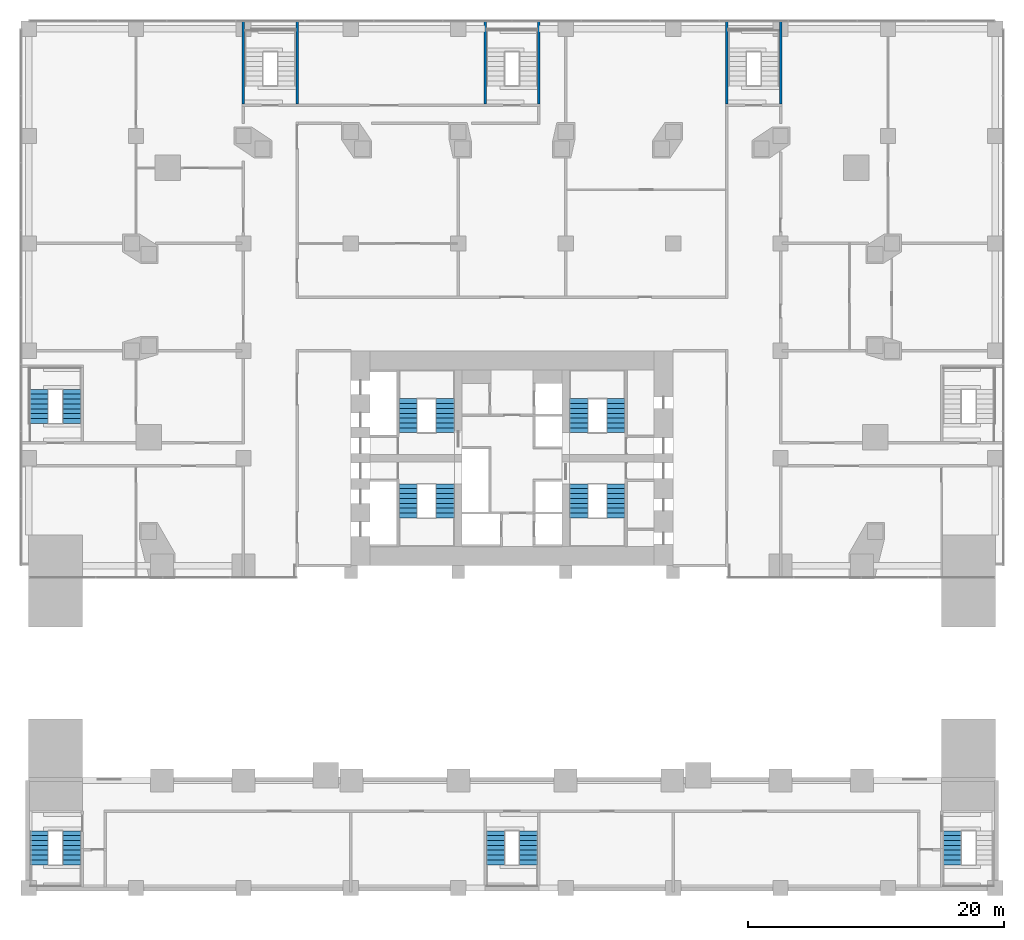
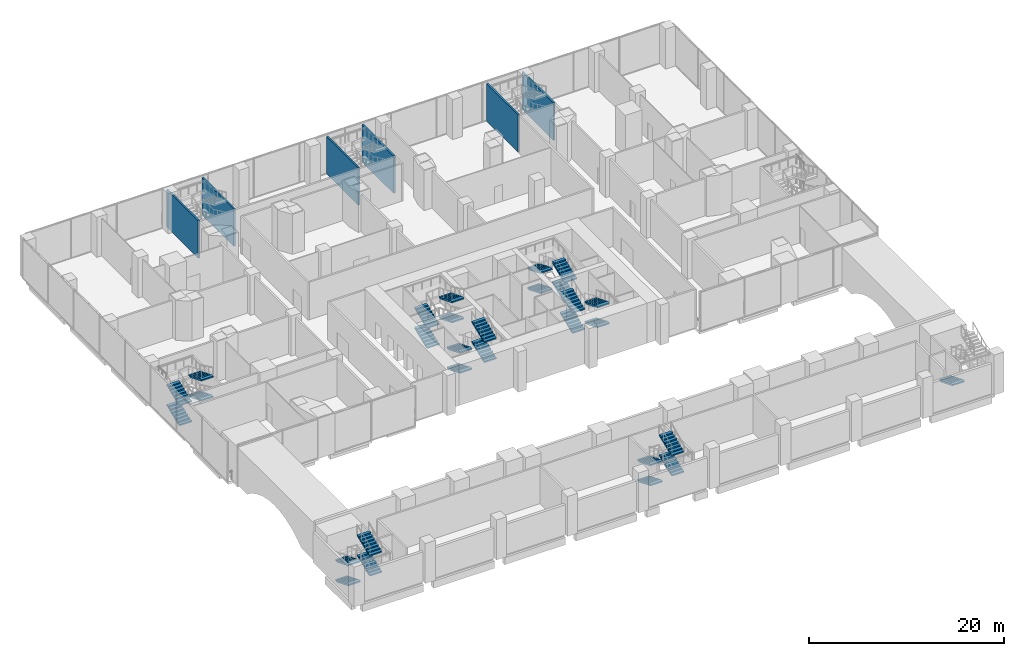
# One storey, part 21 of 28: 29 stair flights, 6 walls, 8 elements without a shape of their own.
"""IFC4 building model written with IfcOpenShell, lengths in metres."""

from ifc_helpers import new_model, si_unit, direction, frame, frame_2d, origin, place, context, subcontext, project, spatial, polyline, rectangle, outline, extrude, material, layer, layer_set, type_object, element, aggregate, save


model = new_model("IFC4")

# Units and contexts
model_context = context("Model", 3, precision=1e-05, world=origin(), true_north=direction((0.0, 1.0)))
body_context = subcontext(model_context, "Body", "Model", "MODEL_VIEW")
ifc_project = project(units=[si_unit("LENGTHUNIT", "METRE"), si_unit("AREAUNIT", "SQUARE_METRE"), si_unit("VOLUMEUNIT", "CUBIC_METRE"), si_unit("PLANEANGLEUNIT", "RADIAN"), si_unit("MASSUNIT", "GRAM", prefix="KILO")], contexts=[model_context])

# Site, building, storey
site_placement = place(None, origin())
site = spatial("IfcSite", under=ifc_project, at=site_placement, CompositionType="ELEMENT")
building_placement = place(site_placement, origin())
building = spatial("IfcBuilding", under=site, at=building_placement, Name="Marenta Gate Hotel Tower", CompositionType="ELEMENT")
storey_placement = place(building_placement, frame((0.0, 0.0, 26.0)))
storey = spatial("IfcBuildingStorey", under=building, at=storey_placement, Name="L04", CompositionType="ELEMENT", Elevation=26.0)

# Walls
ifc_material_1 = material(Name="Concrete blockwork", Category="masonry")
ifc_layer = layer(ifc_material_1, 0.199951171875)
ifc_layer_set = layer_set([ifc_layer], Name="Concrete blockwork")
wall_type = type_object("IfcWallType", Name="Room party wall 200 REI 180", PredefinedType="PARTITIONING", material=ifc_layer_set)
for number, where, z_axis, x_axis, name in (
    (1, (21.0, 36.10009765625, 0.0), (0.0, 0.0, 1.0), (0.0, 1.0, 0.0), "L04-PTN-W015"),
    (2, (16.800048828125, 36.10009765625, 0.0), (0.0, 0.0, 1.0), (0.0, 1.0, 0.0), "L04-PTN-W020"),
    (3, (2.10009765625, 36.10009765625, 0.0), (0.0, 0.0, 1.0), (0.0, 1.0, 0.0), "L04-PTN-W025"),
    (4, (-2.10009765625, 36.10009765625, 0.0), (0.0, 0.0, 1.0), (0.0, 1.0, 0.0), "L04-PTN-W028"),
    (5, (-16.800048828125, 36.10009765625, 0.0), (0.0, 0.0, 1.0), (0.0, 1.0, 0.0), "L04-PTN-W040"),
    (6, (-21.0, 36.10009765625, 0.0), (0.0, 0.0, 1.0), (0.0, 1.0, 0.0), "L04-PTN-W048"),
):
    element("IfcWall", number, at=place(storey_placement, frame(where, z_axis=z_axis, x_axis=x_axis)), inside=storey, type_object=wall_type, Name=name, PredefinedType="PARTITIONING", context=body_context, shape_type="SweptSolid", body=[
        extrude(rectangle(XDim=6.48388671875, YDim=0.199951171875, at=frame_2d((3.241943359375, 0.0))), origin(), (0.0, 0.0, 1.0), 4.679931640625),
    ])

# Stair, stair flights
ifc_material_2 = material(Name="Concrete C40", Category="concrete")
stair_type_1 = type_object("IfcStairType", Name="Core exit stair 1430 wide", PredefinedType="HALF_TURN_STAIR", material=ifc_material_2)
stair_1_placement = place(storey_placement, origin())
stair_1 = element("IfcStair", 7, at=stair_1_placement, inside=storey, type_object=stair_type_1, Name="Exit stair 1", PredefinedType="HALF_TURN_STAIR")
ifc_material_3 = material(Name="Concrete C40", Category="concrete")
stair_flight_type_1 = type_object("IfcStairFlightType", Name="Core stair flight 1430 riser 156.2 going 380", PredefinedType="STRAIGHT", material=ifc_material_3)
stair_flight_1_placement = place(storey_placement, frame((-8.135009765625, 6.39990234375, 0.0), z_axis=(0.0, 0.0, 1.0), x_axis=(0.0, -1.0, 0.0)))
stair_flight_1 = element("IfcStairFlight", 8, at=stair_flight_1_placement, type_object=stair_flight_type_1, Name="ST1 flight 1", NumberOfRisers=8, NumberOfTreads=7, PredefinedType="STRAIGHT", RiserHeight=0.15625, TreadLength=0.38, context=body_context, shape_type="SweptSolid", body=[
    extrude(outline(polyline([(0.0, 0.0), (0.0, 0.15625), (0.3798828125, 0.15625), (0.3798828125, 0.3125), (0.760009765625, 0.3125), (0.760009765625, 0.46875), (1.139892578125, 0.46875), (1.139892578125, 0.625), (1.52001953125, 0.625), (1.52001953125, 0.78125), (1.89990234375, 0.78125), (1.89990234375, 0.9375), (2.280029296875, 0.9375), (2.280029296875, 1.09375), (2.659912109375, 1.09375), (2.659912109375, 1.25), (2.659912109375, 0.931640625), (0.394287109375, 0.0), (0.0, 0.0)])), frame((0.0, 0.71484375, 0.0), z_axis=(0.0, -1.0, 0.0), x_axis=(1.0, 0.0, 0.0)), (0.0, 0.0, 1.0), 1.429931640625),
])
stair_flight_2_placement = place(storey_placement, frame((-5.215087890625, 3.739990234375, 1.25), z_axis=(0.0, 0.0, 1.0), x_axis=(0.0, 1.0, 0.0)))
stair_flight_2 = element("IfcStairFlight", 9, at=stair_flight_2_placement, type_object=stair_flight_type_1, Name="ST1 flight 2", NumberOfRisers=8, NumberOfTreads=7, PredefinedType="STRAIGHT", RiserHeight=0.15625, TreadLength=0.38, context=body_context, shape_type="SweptSolid", body=[
    extrude(outline(polyline([(0.0, 0.0), (0.0, 0.15625), (0.3798828125, 0.15625), (0.3798828125, 0.3125), (0.760009765625, 0.3125), (0.760009765625, 0.46875), (1.139892578125, 0.46875), (1.139892578125, 0.625), (1.52001953125, 0.625), (1.52001953125, 0.78125), (1.89990234375, 0.78125), (1.89990234375, 0.9375), (2.280029296875, 0.9375), (2.280029296875, 1.09375), (2.659912109375, 1.09375), (2.659912109375, 1.25), (2.659912109375, 0.931640625), (0.394287109375, 0.0), (0.0, 0.0)])), frame((0.0, 0.71484375, 0.0), z_axis=(0.0, -1.0, 0.0), x_axis=(1.0, 0.0, 0.0)), (0.0, 0.0, 1.0), 1.429931640625),
])
stair_flight_3_placement = place(storey_placement, frame((-8.135009765625, 6.39990234375, 2.5), z_axis=(0.0, 0.0, 1.0), x_axis=(0.0, -1.0, 0.0)))
stair_flight_3 = element("IfcStairFlight", 10, at=stair_flight_3_placement, type_object=stair_flight_type_1, Name="ST1 flight 3", NumberOfRisers=8, NumberOfTreads=7, PredefinedType="STRAIGHT", RiserHeight=0.15625, TreadLength=0.38, context=body_context, shape_type="SweptSolid", body=[
    extrude(outline(polyline([(0.0, 0.0), (0.0, 0.15625), (0.3798828125, 0.15625), (0.3798828125, 0.3125), (0.760009765625, 0.3125), (0.760009765625, 0.46875), (1.139892578125, 0.46875), (1.139892578125, 0.625), (1.52001953125, 0.625), (1.52001953125, 0.78125), (1.89990234375, 0.78125), (1.89990234375, 0.9375), (2.280029296875, 0.9375), (2.280029296875, 1.09375), (2.659912109375, 1.09375), (2.659912109375, 1.25), (2.659912109375, 0.931640625), (0.394287109375, 0.0), (0.0, 0.0)])), frame((0.0, 0.71484375, 0.0), z_axis=(0.0, -1.0, 0.0), x_axis=(1.0, 0.0, 0.0)), (0.0, 0.0, 1.0), 1.429931640625),
])
stair_flight_4_placement = place(storey_placement, frame((-5.215087890625, 3.739990234375, 3.75), z_axis=(0.0, 0.0, 1.0), x_axis=(0.0, 1.0, 0.0)))
stair_flight_4 = element("IfcStairFlight", 11, at=stair_flight_4_placement, type_object=stair_flight_type_1, Name="ST1 flight 4", NumberOfRisers=8, NumberOfTreads=7, PredefinedType="STRAIGHT", RiserHeight=0.15625, TreadLength=0.38, context=body_context, shape_type="SweptSolid", body=[
    extrude(outline(polyline([(0.0, 0.0), (0.0, 0.15625), (0.3798828125, 0.15625), (0.3798828125, 0.3125), (0.760009765625, 0.3125), (0.760009765625, 0.46875), (1.139892578125, 0.46875), (1.139892578125, 0.625), (1.52001953125, 0.625), (1.52001953125, 0.78125), (1.89990234375, 0.78125), (1.89990234375, 0.9375), (2.280029296875, 0.9375), (2.280029296875, 1.09375), (2.659912109375, 1.09375), (2.659912109375, 1.25), (2.659912109375, 0.931640625), (0.394287109375, 0.0), (0.0, 0.0)])), frame((0.0, 0.71484375, 0.0), z_axis=(0.0, -1.0, 0.0), x_axis=(1.0, 0.0, 0.0)), (0.0, 0.0, 1.0), 1.429931640625),
])
aggregate(stair_1, [stair_flight_1, stair_flight_2, stair_flight_3, stair_flight_4])

stair_2_placement = place(storey_placement, origin())
stair_2 = element("IfcStair", 12, at=stair_2_placement, inside=storey, type_object=stair_type_1, Name="Exit stair 2", PredefinedType="HALF_TURN_STAIR")
stair_flight_5_placement = place(storey_placement, frame((-8.135009765625, 10.39990234375, 0.0), z_axis=(0.0, 0.0, 1.0), x_axis=(0.0, 1.0, 0.0)))
stair_flight_5 = element("IfcStairFlight", 13, at=stair_flight_5_placement, type_object=stair_flight_type_1, Name="ST2 flight 1", NumberOfRisers=8, NumberOfTreads=7, PredefinedType="STRAIGHT", RiserHeight=0.15625, TreadLength=0.38, context=body_context, shape_type="SweptSolid", body=[
    extrude(outline(polyline([(0.0, 0.0), (0.0, 0.15625), (0.3798828125, 0.15625), (0.3798828125, 0.3125), (0.760009765625, 0.3125), (0.760009765625, 0.46875), (1.139892578125, 0.46875), (1.139892578125, 0.625), (1.52001953125, 0.625), (1.52001953125, 0.78125), (1.89990234375, 0.78125), (1.89990234375, 0.9375), (2.280029296875, 0.9375), (2.280029296875, 1.09375), (2.659912109375, 1.09375), (2.659912109375, 1.25), (2.659912109375, 0.931640625), (0.394287109375, 0.0), (0.0, 0.0)])), frame((0.0, 0.71484375, 0.0), z_axis=(0.0, -1.0, 0.0), x_axis=(1.0, 0.0, 0.0)), (0.0, 0.0, 1.0), 1.429931640625),
])
stair_flight_6_placement = place(storey_placement, frame((-5.215087890625, 13.06005859375, 1.25), z_axis=(0.0, 0.0, 1.0), x_axis=(0.0, -1.0, 0.0)))
stair_flight_6 = element("IfcStairFlight", 14, at=stair_flight_6_placement, type_object=stair_flight_type_1, Name="ST2 flight 2", NumberOfRisers=8, NumberOfTreads=7, PredefinedType="STRAIGHT", RiserHeight=0.15625, TreadLength=0.38, context=body_context, shape_type="SweptSolid", body=[
    extrude(outline(polyline([(0.0, 0.0), (0.0, 0.15625), (0.3798828125, 0.15625), (0.3798828125, 0.3125), (0.760009765625, 0.3125), (0.760009765625, 0.46875), (1.139892578125, 0.46875), (1.139892578125, 0.625), (1.52001953125, 0.625), (1.52001953125, 0.78125), (1.89990234375, 0.78125), (1.89990234375, 0.9375), (2.280029296875, 0.9375), (2.280029296875, 1.09375), (2.659912109375, 1.09375), (2.659912109375, 1.25), (2.659912109375, 0.931640625), (0.394287109375, 0.0), (0.0, 0.0)])), frame((0.0, 0.71484375, 0.0), z_axis=(0.0, -1.0, 0.0), x_axis=(1.0, 0.0, 0.0)), (0.0, 0.0, 1.0), 1.429931640625),
])
stair_flight_7_placement = place(storey_placement, frame((-8.135009765625, 10.39990234375, 2.5), z_axis=(0.0, 0.0, 1.0), x_axis=(0.0, 1.0, 0.0)))
stair_flight_7 = element("IfcStairFlight", 15, at=stair_flight_7_placement, type_object=stair_flight_type_1, Name="ST2 flight 3", NumberOfRisers=8, NumberOfTreads=7, PredefinedType="STRAIGHT", RiserHeight=0.15625, TreadLength=0.38, context=body_context, shape_type="SweptSolid", body=[
    extrude(outline(polyline([(0.0, 0.0), (0.0, 0.15625), (0.3798828125, 0.15625), (0.3798828125, 0.3125), (0.760009765625, 0.3125), (0.760009765625, 0.46875), (1.139892578125, 0.46875), (1.139892578125, 0.625), (1.52001953125, 0.625), (1.52001953125, 0.78125), (1.89990234375, 0.78125), (1.89990234375, 0.9375), (2.280029296875, 0.9375), (2.280029296875, 1.09375), (2.659912109375, 1.09375), (2.659912109375, 1.25), (2.659912109375, 0.931640625), (0.394287109375, 0.0), (0.0, 0.0)])), frame((0.0, 0.71484375, 0.0), z_axis=(0.0, -1.0, 0.0), x_axis=(1.0, 0.0, 0.0)), (0.0, 0.0, 1.0), 1.429931640625),
])
stair_flight_8_placement = place(storey_placement, frame((-5.215087890625, 13.06005859375, 3.75), z_axis=(0.0, 0.0, 1.0), x_axis=(0.0, -1.0, 0.0)))
stair_flight_8 = element("IfcStairFlight", 16, at=stair_flight_8_placement, type_object=stair_flight_type_1, Name="ST2 flight 4", NumberOfRisers=8, NumberOfTreads=7, PredefinedType="STRAIGHT", RiserHeight=0.15625, TreadLength=0.38, context=body_context, shape_type="SweptSolid", body=[
    extrude(outline(polyline([(0.0, 0.0), (0.0, 0.15625), (0.3798828125, 0.15625), (0.3798828125, 0.3125), (0.760009765625, 0.3125), (0.760009765625, 0.46875), (1.139892578125, 0.46875), (1.139892578125, 0.625), (1.52001953125, 0.625), (1.52001953125, 0.78125), (1.89990234375, 0.78125), (1.89990234375, 0.9375), (2.280029296875, 0.9375), (2.280029296875, 1.09375), (2.659912109375, 1.09375), (2.659912109375, 1.25), (2.659912109375, 0.931640625), (0.394287109375, 0.0), (0.0, 0.0)])), frame((0.0, 0.71484375, 0.0), z_axis=(0.0, -1.0, 0.0), x_axis=(1.0, 0.0, 0.0)), (0.0, 0.0, 1.0), 1.429931640625),
])
aggregate(stair_2, [stair_flight_5, stair_flight_6, stair_flight_7, stair_flight_8])

stair_3_placement = place(storey_placement, origin())
stair_3 = element("IfcStair", 17, at=stair_3_placement, inside=storey, type_object=stair_type_1, Name="Exit stair 3", PredefinedType="HALF_TURN_STAIR")
stair_flight_9_placement = place(storey_placement, frame((8.135009765625, 6.39990234375, 0.0), z_axis=(0.0, 0.0, 1.0), x_axis=(0.0, -1.0, 0.0)))
stair_flight_9 = element("IfcStairFlight", 18, at=stair_flight_9_placement, type_object=stair_flight_type_1, Name="ST3 flight 1", NumberOfRisers=8, NumberOfTreads=7, PredefinedType="STRAIGHT", RiserHeight=0.15625, TreadLength=0.38, context=body_context, shape_type="SweptSolid", body=[
    extrude(outline(polyline([(0.0, 0.0), (0.0, 0.15625), (0.3798828125, 0.15625), (0.3798828125, 0.3125), (0.760009765625, 0.3125), (0.760009765625, 0.46875), (1.139892578125, 0.46875), (1.139892578125, 0.625), (1.52001953125, 0.625), (1.52001953125, 0.78125), (1.89990234375, 0.78125), (1.89990234375, 0.9375), (2.280029296875, 0.9375), (2.280029296875, 1.09375), (2.659912109375, 1.09375), (2.659912109375, 1.25), (2.659912109375, 0.931640625), (0.394287109375, 0.0), (0.0, 0.0)])), frame((0.0, 0.71484375, 0.0), z_axis=(0.0, -1.0, 0.0), x_axis=(1.0, 0.0, 0.0)), (0.0, 0.0, 1.0), 1.429931640625),
])
stair_flight_10_placement = place(storey_placement, frame((5.215087890625, 3.739990234375, 1.25), z_axis=(0.0, 0.0, 1.0), x_axis=(0.0, 1.0, 0.0)))
stair_flight_10 = element("IfcStairFlight", 19, at=stair_flight_10_placement, type_object=stair_flight_type_1, Name="ST3 flight 2", NumberOfRisers=8, NumberOfTreads=7, PredefinedType="STRAIGHT", RiserHeight=0.15625, TreadLength=0.38, context=body_context, shape_type="SweptSolid", body=[
    extrude(outline(polyline([(0.0, 0.0), (0.0, 0.15625), (0.3798828125, 0.15625), (0.3798828125, 0.3125), (0.760009765625, 0.3125), (0.760009765625, 0.46875), (1.139892578125, 0.46875), (1.139892578125, 0.625), (1.52001953125, 0.625), (1.52001953125, 0.78125), (1.89990234375, 0.78125), (1.89990234375, 0.9375), (2.280029296875, 0.9375), (2.280029296875, 1.09375), (2.659912109375, 1.09375), (2.659912109375, 1.25), (2.659912109375, 0.931640625), (0.394287109375, 0.0), (0.0, 0.0)])), frame((0.0, 0.71484375, 0.0), z_axis=(0.0, -1.0, 0.0), x_axis=(1.0, 0.0, 0.0)), (0.0, 0.0, 1.0), 1.429931640625),
])
stair_flight_11_placement = place(storey_placement, frame((8.135009765625, 6.39990234375, 2.5), z_axis=(0.0, 0.0, 1.0), x_axis=(0.0, -1.0, 0.0)))
stair_flight_11 = element("IfcStairFlight", 20, at=stair_flight_11_placement, type_object=stair_flight_type_1, Name="ST3 flight 3", NumberOfRisers=8, NumberOfTreads=7, PredefinedType="STRAIGHT", RiserHeight=0.15625, TreadLength=0.38, context=body_context, shape_type="SweptSolid", body=[
    extrude(outline(polyline([(0.0, 0.0), (0.0, 0.15625), (0.3798828125, 0.15625), (0.3798828125, 0.3125), (0.760009765625, 0.3125), (0.760009765625, 0.46875), (1.139892578125, 0.46875), (1.139892578125, 0.625), (1.52001953125, 0.625), (1.52001953125, 0.78125), (1.89990234375, 0.78125), (1.89990234375, 0.9375), (2.280029296875, 0.9375), (2.280029296875, 1.09375), (2.659912109375, 1.09375), (2.659912109375, 1.25), (2.659912109375, 0.931640625), (0.394287109375, 0.0), (0.0, 0.0)])), frame((0.0, 0.71484375, 0.0), z_axis=(0.0, -1.0, 0.0), x_axis=(1.0, 0.0, 0.0)), (0.0, 0.0, 1.0), 1.429931640625),
])
stair_flight_12_placement = place(storey_placement, frame((5.215087890625, 3.739990234375, 3.75), z_axis=(0.0, 0.0, 1.0), x_axis=(0.0, 1.0, 0.0)))
stair_flight_12 = element("IfcStairFlight", 21, at=stair_flight_12_placement, type_object=stair_flight_type_1, Name="ST3 flight 4", NumberOfRisers=8, NumberOfTreads=7, PredefinedType="STRAIGHT", RiserHeight=0.15625, TreadLength=0.38, context=body_context, shape_type="SweptSolid", body=[
    extrude(outline(polyline([(0.0, 0.0), (0.0, 0.15625), (0.3798828125, 0.15625), (0.3798828125, 0.3125), (0.760009765625, 0.3125), (0.760009765625, 0.46875), (1.139892578125, 0.46875), (1.139892578125, 0.625), (1.52001953125, 0.625), (1.52001953125, 0.78125), (1.89990234375, 0.78125), (1.89990234375, 0.9375), (2.280029296875, 0.9375), (2.280029296875, 1.09375), (2.659912109375, 1.09375), (2.659912109375, 1.25), (2.659912109375, 0.931640625), (0.394287109375, 0.0), (0.0, 0.0)])), frame((0.0, 0.71484375, 0.0), z_axis=(0.0, -1.0, 0.0), x_axis=(1.0, 0.0, 0.0)), (0.0, 0.0, 1.0), 1.429931640625),
])
aggregate(stair_3, [stair_flight_9, stair_flight_10, stair_flight_11, stair_flight_12])

stair_4_placement = place(storey_placement, origin())
stair_4 = element("IfcStair", 22, at=stair_4_placement, inside=storey, type_object=stair_type_1, Name="Exit stair 4", PredefinedType="HALF_TURN_STAIR")
stair_flight_13_placement = place(storey_placement, frame((8.135009765625, 10.39990234375, 0.0), z_axis=(0.0, 0.0, 1.0), x_axis=(0.0, 1.0, 0.0)))
stair_flight_13 = element("IfcStairFlight", 23, at=stair_flight_13_placement, type_object=stair_flight_type_1, Name="ST4 flight 1", NumberOfRisers=8, NumberOfTreads=7, PredefinedType="STRAIGHT", RiserHeight=0.15625, TreadLength=0.38, context=body_context, shape_type="SweptSolid", body=[
    extrude(outline(polyline([(0.0, 0.0), (0.0, 0.15625), (0.3798828125, 0.15625), (0.3798828125, 0.3125), (0.760009765625, 0.3125), (0.760009765625, 0.46875), (1.139892578125, 0.46875), (1.139892578125, 0.625), (1.52001953125, 0.625), (1.52001953125, 0.78125), (1.89990234375, 0.78125), (1.89990234375, 0.9375), (2.280029296875, 0.9375), (2.280029296875, 1.09375), (2.659912109375, 1.09375), (2.659912109375, 1.25), (2.659912109375, 0.931640625), (0.394287109375, 0.0), (0.0, 0.0)])), frame((0.0, 0.71484375, 0.0), z_axis=(0.0, -1.0, 0.0), x_axis=(1.0, 0.0, 0.0)), (0.0, 0.0, 1.0), 1.429931640625),
])
stair_flight_14_placement = place(storey_placement, frame((5.215087890625, 13.06005859375, 1.25), z_axis=(0.0, 0.0, 1.0), x_axis=(0.0, -1.0, 0.0)))
stair_flight_14 = element("IfcStairFlight", 24, at=stair_flight_14_placement, type_object=stair_flight_type_1, Name="ST4 flight 2", NumberOfRisers=8, NumberOfTreads=7, PredefinedType="STRAIGHT", RiserHeight=0.15625, TreadLength=0.38, context=body_context, shape_type="SweptSolid", body=[
    extrude(outline(polyline([(0.0, 0.0), (0.0, 0.15625), (0.3798828125, 0.15625), (0.3798828125, 0.3125), (0.760009765625, 0.3125), (0.760009765625, 0.46875), (1.139892578125, 0.46875), (1.139892578125, 0.625), (1.52001953125, 0.625), (1.52001953125, 0.78125), (1.89990234375, 0.78125), (1.89990234375, 0.9375), (2.280029296875, 0.9375), (2.280029296875, 1.09375), (2.659912109375, 1.09375), (2.659912109375, 1.25), (2.659912109375, 0.931640625), (0.394287109375, 0.0), (0.0, 0.0)])), frame((0.0, 0.71484375, 0.0), z_axis=(0.0, -1.0, 0.0), x_axis=(1.0, 0.0, 0.0)), (0.0, 0.0, 1.0), 1.429931640625),
])
stair_flight_15_placement = place(storey_placement, frame((8.135009765625, 10.39990234375, 2.5), z_axis=(0.0, 0.0, 1.0), x_axis=(0.0, 1.0, 0.0)))
stair_flight_15 = element("IfcStairFlight", 25, at=stair_flight_15_placement, type_object=stair_flight_type_1, Name="ST4 flight 3", NumberOfRisers=8, NumberOfTreads=7, PredefinedType="STRAIGHT", RiserHeight=0.15625, TreadLength=0.38, context=body_context, shape_type="SweptSolid", body=[
    extrude(outline(polyline([(0.0, 0.0), (0.0, 0.15625), (0.3798828125, 0.15625), (0.3798828125, 0.3125), (0.760009765625, 0.3125), (0.760009765625, 0.46875), (1.139892578125, 0.46875), (1.139892578125, 0.625), (1.52001953125, 0.625), (1.52001953125, 0.78125), (1.89990234375, 0.78125), (1.89990234375, 0.9375), (2.280029296875, 0.9375), (2.280029296875, 1.09375), (2.659912109375, 1.09375), (2.659912109375, 1.25), (2.659912109375, 0.931640625), (0.394287109375, 0.0), (0.0, 0.0)])), frame((0.0, 0.71484375, 0.0), z_axis=(0.0, -1.0, 0.0), x_axis=(1.0, 0.0, 0.0)), (0.0, 0.0, 1.0), 1.429931640625),
])
stair_flight_16_placement = place(storey_placement, frame((5.215087890625, 13.06005859375, 3.75), z_axis=(0.0, 0.0, 1.0), x_axis=(0.0, -1.0, 0.0)))
stair_flight_16 = element("IfcStairFlight", 26, at=stair_flight_16_placement, type_object=stair_flight_type_1, Name="ST4 flight 4", NumberOfRisers=8, NumberOfTreads=7, PredefinedType="STRAIGHT", RiserHeight=0.15625, TreadLength=0.38, context=body_context, shape_type="SweptSolid", body=[
    extrude(outline(polyline([(0.0, 0.0), (0.0, 0.15625), (0.3798828125, 0.15625), (0.3798828125, 0.3125), (0.760009765625, 0.3125), (0.760009765625, 0.46875), (1.139892578125, 0.46875), (1.139892578125, 0.625), (1.52001953125, 0.625), (1.52001953125, 0.78125), (1.89990234375, 0.78125), (1.89990234375, 0.9375), (2.280029296875, 0.9375), (2.280029296875, 1.09375), (2.659912109375, 1.09375), (2.659912109375, 1.25), (2.659912109375, 0.931640625), (0.394287109375, 0.0), (0.0, 0.0)])), frame((0.0, 0.71484375, 0.0), z_axis=(0.0, -1.0, 0.0), x_axis=(1.0, 0.0, 0.0)), (0.0, 0.0, 1.0), 1.429931640625),
])
aggregate(stair_4, [stair_flight_13, stair_flight_14, stair_flight_15, stair_flight_16])

ifc_material_4 = material(Name="Concrete C40", Category="concrete")
stair_type_2 = type_object("IfcStairType", Name="Podium exit stair 1430 wide", PredefinedType="HALF_TURN_STAIR", material=ifc_material_4)
stair_5_placement = place(storey_placement, origin())
stair_5 = element("IfcStair", 27, at=stair_5_placement, inside=storey, type_object=stair_type_2, Name="Podium exit stair 1", PredefinedType="HALF_TURN_STAIR")
ifc_material_5 = material(Name="Concrete C40", Category="concrete")
stair_flight_type_2 = type_object("IfcStairFlightType", Name="Podium stair flight 1430 riser 156.2 going 380", PredefinedType="STRAIGHT", material=ifc_material_5)
stair_flight_17_placement = place(storey_placement, frame((-36.985107421875, -20.72998046875, 0.0), z_axis=(0.0, 0.0, 1.0), x_axis=(0.0, -1.0, 0.0)))
stair_flight_17 = element("IfcStairFlight", 28, at=stair_flight_17_placement, type_object=stair_flight_type_2, Name="PX1 flight 1", NumberOfRisers=8, NumberOfTreads=7, PredefinedType="STRAIGHT", RiserHeight=0.15625, TreadLength=0.38, context=body_context, shape_type="SweptSolid", body=[
    extrude(outline(polyline([(0.0, 0.0), (0.0, 0.15625), (0.3798828125, 0.15625), (0.3798828125, 0.3125), (0.760009765625, 0.3125), (0.760009765625, 0.46875), (1.139892578125, 0.46875), (1.139892578125, 0.625), (1.52001953125, 0.625), (1.52001953125, 0.78125), (1.89990234375, 0.78125), (1.89990234375, 0.9375), (2.280029296875, 0.9375), (2.280029296875, 1.09375), (2.659912109375, 1.09375), (2.659912109375, 1.25), (2.659912109375, 0.931640625), (0.394287109375, 0.0), (0.0, 0.0)])), frame((0.0, 0.71484375, 0.0), z_axis=(0.0, -1.0, 0.0), x_axis=(1.0, 0.0, 0.0)), (0.0, 0.0, 1.0), 1.429931640625),
])
stair_flight_18_placement = place(storey_placement, frame((-34.4150390625, -23.389892578125, 1.25), z_axis=(0.0, 0.0, 1.0), x_axis=(0.0, 1.0, 0.0)))
stair_flight_18 = element("IfcStairFlight", 29, at=stair_flight_18_placement, type_object=stair_flight_type_2, Name="PX1 flight 2", NumberOfRisers=8, NumberOfTreads=7, PredefinedType="STRAIGHT", RiserHeight=0.15625, TreadLength=0.38, context=body_context, shape_type="SweptSolid", body=[
    extrude(outline(polyline([(0.0, 0.0), (0.0, 0.15625), (0.3798828125, 0.15625), (0.3798828125, 0.3125), (0.760009765625, 0.3125), (0.760009765625, 0.46875), (1.139892578125, 0.46875), (1.139892578125, 0.625), (1.52001953125, 0.625), (1.52001953125, 0.78125), (1.89990234375, 0.78125), (1.89990234375, 0.9375), (2.280029296875, 0.9375), (2.280029296875, 1.09375), (2.659912109375, 1.09375), (2.659912109375, 1.25), (2.659912109375, 0.931640625), (0.394287109375, 0.0), (0.0, 0.0)])), frame((0.0, 0.71484375, 0.0), z_axis=(0.0, -1.0, 0.0), x_axis=(1.0, 0.0, 0.0)), (0.0, 0.0, 1.0), 1.429931640625),
])
stair_flight_19_placement = place(storey_placement, frame((-36.985107421875, -20.72998046875, 2.5), z_axis=(0.0, 0.0, 1.0), x_axis=(0.0, -1.0, 0.0)))
stair_flight_19 = element("IfcStairFlight", 30, at=stair_flight_19_placement, type_object=stair_flight_type_2, Name="PX1 flight 3", NumberOfRisers=8, NumberOfTreads=7, PredefinedType="STRAIGHT", RiserHeight=0.15625, TreadLength=0.38, context=body_context, shape_type="SweptSolid", body=[
    extrude(outline(polyline([(0.0, 0.0), (0.0, 0.15625), (0.3798828125, 0.15625), (0.3798828125, 0.3125), (0.760009765625, 0.3125), (0.760009765625, 0.46875), (1.139892578125, 0.46875), (1.139892578125, 0.625), (1.52001953125, 0.625), (1.52001953125, 0.78125), (1.89990234375, 0.78125), (1.89990234375, 0.9375), (2.280029296875, 0.9375), (2.280029296875, 1.09375), (2.659912109375, 1.09375), (2.659912109375, 1.25), (2.659912109375, 0.931640625), (0.394287109375, 0.0), (0.0, 0.0)])), frame((0.0, 0.71484375, 0.0), z_axis=(0.0, -1.0, 0.0), x_axis=(1.0, 0.0, 0.0)), (0.0, 0.0, 1.0), 1.429931640625),
])
stair_flight_20_placement = place(storey_placement, frame((-34.4150390625, -23.389892578125, 3.75), z_axis=(0.0, 0.0, 1.0), x_axis=(0.0, 1.0, 0.0)))
stair_flight_20 = element("IfcStairFlight", 31, at=stair_flight_20_placement, type_object=stair_flight_type_2, Name="PX1 flight 4", NumberOfRisers=8, NumberOfTreads=7, PredefinedType="STRAIGHT", RiserHeight=0.15625, TreadLength=0.38, context=body_context, shape_type="SweptSolid", body=[
    extrude(outline(polyline([(0.0, 0.0), (0.0, 0.15625), (0.3798828125, 0.15625), (0.3798828125, 0.3125), (0.760009765625, 0.3125), (0.760009765625, 0.46875), (1.139892578125, 0.46875), (1.139892578125, 0.625), (1.52001953125, 0.625), (1.52001953125, 0.78125), (1.89990234375, 0.78125), (1.89990234375, 0.9375), (2.280029296875, 0.9375), (2.280029296875, 1.09375), (2.659912109375, 1.09375), (2.659912109375, 1.25), (2.659912109375, 0.931640625), (0.394287109375, 0.0), (0.0, 0.0)])), frame((0.0, 0.71484375, 0.0), z_axis=(0.0, -1.0, 0.0), x_axis=(1.0, 0.0, 0.0)), (0.0, 0.0, 1.0), 1.429931640625),
])
aggregate(stair_5, [stair_flight_17, stair_flight_18, stair_flight_19, stair_flight_20])

# Stair, stair flight
stair_6_placement = place(storey_placement, origin())
stair_6 = element("IfcStair", 32, at=stair_6_placement, inside=storey, type_object=stair_type_2, Name="Podium exit stair 2", PredefinedType="HALF_TURN_STAIR")
stair_flight_21_placement = place(storey_placement, frame((34.4150390625, -20.72998046875, 0.0), z_axis=(0.0, 0.0, 1.0), x_axis=(0.0, -1.0, 0.0)))
stair_flight_21 = element("IfcStairFlight", 33, at=stair_flight_21_placement, type_object=stair_flight_type_2, Name="PX2 flight 1", NumberOfRisers=8, NumberOfTreads=7, PredefinedType="STRAIGHT", RiserHeight=0.15625, TreadLength=0.38, context=body_context, shape_type="SweptSolid", body=[
    extrude(outline(polyline([(0.0, 0.0), (0.0, 0.15625), (0.3798828125, 0.15625), (0.3798828125, 0.3125), (0.760009765625, 0.3125), (0.760009765625, 0.46875), (1.139892578125, 0.46875), (1.139892578125, 0.625), (1.52001953125, 0.625), (1.52001953125, 0.78125), (1.89990234375, 0.78125), (1.89990234375, 0.9375), (2.280029296875, 0.9375), (2.280029296875, 1.09375), (2.659912109375, 1.09375), (2.659912109375, 1.25), (2.659912109375, 0.931640625), (0.394287109375, 0.0), (0.0, 0.0)])), frame((0.0, 0.71484375, 0.0), z_axis=(0.0, -1.0, 0.0), x_axis=(1.0, 0.0, 0.0)), (0.0, 0.0, 1.0), 1.429931640625),
])
aggregate(stair_6, [stair_flight_21])

# Stair, stair flights
stair_7_placement = place(storey_placement, origin())
stair_7 = element("IfcStair", 34, at=stair_7_placement, inside=storey, type_object=stair_type_2, Name="Podium exit stair 5", PredefinedType="HALF_TURN_STAIR")
stair_flight_22_placement = place(storey_placement, frame((-1.284912109375, -20.72998046875, 0.0), z_axis=(0.0, 0.0, 1.0), x_axis=(0.0, -1.0, 0.0)))
stair_flight_22 = element("IfcStairFlight", 35, at=stair_flight_22_placement, type_object=stair_flight_type_2, Name="PX5 flight 1", NumberOfRisers=8, NumberOfTreads=7, PredefinedType="STRAIGHT", RiserHeight=0.15625, TreadLength=0.38, context=body_context, shape_type="SweptSolid", body=[
    extrude(outline(polyline([(0.0, 0.0), (0.0, 0.15625), (0.3798828125, 0.15625), (0.3798828125, 0.3125), (0.760009765625, 0.3125), (0.760009765625, 0.46875), (1.139892578125, 0.46875), (1.139892578125, 0.625), (1.52001953125, 0.625), (1.52001953125, 0.78125), (1.89990234375, 0.78125), (1.89990234375, 0.9375), (2.280029296875, 0.9375), (2.280029296875, 1.09375), (2.659912109375, 1.09375), (2.659912109375, 1.25), (2.659912109375, 0.931640625), (0.394287109375, 0.0), (0.0, 0.0)])), frame((0.0, 0.71484375, 0.0), z_axis=(0.0, -1.0, 0.0), x_axis=(1.0, 0.0, 0.0)), (0.0, 0.0, 1.0), 1.429931640625),
])
stair_flight_23_placement = place(storey_placement, frame((1.284912109375, -23.389892578125, 1.25), z_axis=(0.0, 0.0, 1.0), x_axis=(0.0, 1.0, 0.0)))
stair_flight_23 = element("IfcStairFlight", 36, at=stair_flight_23_placement, type_object=stair_flight_type_2, Name="PX5 flight 2", NumberOfRisers=8, NumberOfTreads=7, PredefinedType="STRAIGHT", RiserHeight=0.15625, TreadLength=0.38, context=body_context, shape_type="SweptSolid", body=[
    extrude(outline(polyline([(0.0, 0.0), (0.0, 0.15625), (0.3798828125, 0.15625), (0.3798828125, 0.3125), (0.760009765625, 0.3125), (0.760009765625, 0.46875), (1.139892578125, 0.46875), (1.139892578125, 0.625), (1.52001953125, 0.625), (1.52001953125, 0.78125), (1.89990234375, 0.78125), (1.89990234375, 0.9375), (2.280029296875, 0.9375), (2.280029296875, 1.09375), (2.659912109375, 1.09375), (2.659912109375, 1.25), (2.659912109375, 0.931640625), (0.394287109375, 0.0), (0.0, 0.0)])), frame((0.0, 0.71484375, 0.0), z_axis=(0.0, -1.0, 0.0), x_axis=(1.0, 0.0, 0.0)), (0.0, 0.0, 1.0), 1.429931640625),
])
stair_flight_24_placement = place(storey_placement, frame((-1.284912109375, -20.72998046875, 2.5), z_axis=(0.0, 0.0, 1.0), x_axis=(0.0, -1.0, 0.0)))
stair_flight_24 = element("IfcStairFlight", 37, at=stair_flight_24_placement, type_object=stair_flight_type_2, Name="PX5 flight 3", NumberOfRisers=8, NumberOfTreads=7, PredefinedType="STRAIGHT", RiserHeight=0.15625, TreadLength=0.38, context=body_context, shape_type="SweptSolid", body=[
    extrude(outline(polyline([(0.0, 0.0), (0.0, 0.15625), (0.3798828125, 0.15625), (0.3798828125, 0.3125), (0.760009765625, 0.3125), (0.760009765625, 0.46875), (1.139892578125, 0.46875), (1.139892578125, 0.625), (1.52001953125, 0.625), (1.52001953125, 0.78125), (1.89990234375, 0.78125), (1.89990234375, 0.9375), (2.280029296875, 0.9375), (2.280029296875, 1.09375), (2.659912109375, 1.09375), (2.659912109375, 1.25), (2.659912109375, 0.931640625), (0.394287109375, 0.0), (0.0, 0.0)])), frame((0.0, 0.71484375, 0.0), z_axis=(0.0, -1.0, 0.0), x_axis=(1.0, 0.0, 0.0)), (0.0, 0.0, 1.0), 1.429931640625),
])
stair_flight_25_placement = place(storey_placement, frame((1.284912109375, -23.389892578125, 3.75), z_axis=(0.0, 0.0, 1.0), x_axis=(0.0, 1.0, 0.0)))
stair_flight_25 = element("IfcStairFlight", 38, at=stair_flight_25_placement, type_object=stair_flight_type_2, Name="PX5 flight 4", NumberOfRisers=8, NumberOfTreads=7, PredefinedType="STRAIGHT", RiserHeight=0.15625, TreadLength=0.38, context=body_context, shape_type="SweptSolid", body=[
    extrude(outline(polyline([(0.0, 0.0), (0.0, 0.15625), (0.3798828125, 0.15625), (0.3798828125, 0.3125), (0.760009765625, 0.3125), (0.760009765625, 0.46875), (1.139892578125, 0.46875), (1.139892578125, 0.625), (1.52001953125, 0.625), (1.52001953125, 0.78125), (1.89990234375, 0.78125), (1.89990234375, 0.9375), (2.280029296875, 0.9375), (2.280029296875, 1.09375), (2.659912109375, 1.09375), (2.659912109375, 1.25), (2.659912109375, 0.931640625), (0.394287109375, 0.0), (0.0, 0.0)])), frame((0.0, 0.71484375, 0.0), z_axis=(0.0, -1.0, 0.0), x_axis=(1.0, 0.0, 0.0)), (0.0, 0.0, 1.0), 1.429931640625),
])
aggregate(stair_7, [stair_flight_22, stair_flight_23, stair_flight_24, stair_flight_25])

stair_8_placement = place(storey_placement, origin())
stair_8 = element("IfcStair", 39, at=stair_8_placement, inside=storey, type_object=stair_type_2, Name="Podium exit stair 6", PredefinedType="HALF_TURN_STAIR")
stair_flight_26_placement = place(storey_placement, frame((-36.985107421875, 11.1298828125, 0.0), z_axis=(0.0, 0.0, 1.0), x_axis=(0.0, 1.0, 0.0)))
stair_flight_26 = element("IfcStairFlight", 40, at=stair_flight_26_placement, type_object=stair_flight_type_2, Name="PX6 flight 1", NumberOfRisers=8, NumberOfTreads=7, PredefinedType="STRAIGHT", RiserHeight=0.15625, TreadLength=0.38, context=body_context, shape_type="SweptSolid", body=[
    extrude(outline(polyline([(0.0, 0.0), (0.0, 0.15625), (0.3798828125, 0.15625), (0.3798828125, 0.3125), (0.760009765625, 0.3125), (0.760009765625, 0.46875), (1.139892578125, 0.46875), (1.139892578125, 0.625), (1.52001953125, 0.625), (1.52001953125, 0.78125), (1.89990234375, 0.78125), (1.89990234375, 0.9375), (2.280029296875, 0.9375), (2.280029296875, 1.09375), (2.659912109375, 1.09375), (2.659912109375, 1.25), (2.659912109375, 0.931640625), (0.394287109375, 0.0), (0.0, 0.0)])), frame((0.0, 0.71484375, 0.0), z_axis=(0.0, -1.0, 0.0), x_axis=(1.0, 0.0, 0.0)), (0.0, 0.0, 1.0), 1.429931640625),
])
stair_flight_27_placement = place(storey_placement, frame((-34.4150390625, 13.7900390625, 1.25), z_axis=(0.0, 0.0, 1.0), x_axis=(0.0, -1.0, 0.0)))
stair_flight_27 = element("IfcStairFlight", 41, at=stair_flight_27_placement, type_object=stair_flight_type_2, Name="PX6 flight 2", NumberOfRisers=8, NumberOfTreads=7, PredefinedType="STRAIGHT", RiserHeight=0.15625, TreadLength=0.38, context=body_context, shape_type="SweptSolid", body=[
    extrude(outline(polyline([(0.0, 0.0), (0.0, 0.15625), (0.3798828125, 0.15625), (0.3798828125, 0.3125), (0.760009765625, 0.3125), (0.760009765625, 0.46875), (1.139892578125, 0.46875), (1.139892578125, 0.625), (1.52001953125, 0.625), (1.52001953125, 0.78125), (1.89990234375, 0.78125), (1.89990234375, 0.9375), (2.280029296875, 0.9375), (2.280029296875, 1.09375), (2.659912109375, 1.09375), (2.659912109375, 1.25), (2.659912109375, 0.931640625), (0.394287109375, 0.0), (0.0, 0.0)])), frame((0.0, 0.71484375, 0.0), z_axis=(0.0, -1.0, 0.0), x_axis=(1.0, 0.0, 0.0)), (0.0, 0.0, 1.0), 1.429931640625),
])
stair_flight_28_placement = place(storey_placement, frame((-36.985107421875, 11.1298828125, 2.5), z_axis=(0.0, 0.0, 1.0), x_axis=(0.0, 1.0, 0.0)))
stair_flight_28 = element("IfcStairFlight", 42, at=stair_flight_28_placement, type_object=stair_flight_type_2, Name="PX6 flight 3", NumberOfRisers=8, NumberOfTreads=7, PredefinedType="STRAIGHT", RiserHeight=0.15625, TreadLength=0.38, context=body_context, shape_type="SweptSolid", body=[
    extrude(outline(polyline([(0.0, 0.0), (0.0, 0.15625), (0.3798828125, 0.15625), (0.3798828125, 0.3125), (0.760009765625, 0.3125), (0.760009765625, 0.46875), (1.139892578125, 0.46875), (1.139892578125, 0.625), (1.52001953125, 0.625), (1.52001953125, 0.78125), (1.89990234375, 0.78125), (1.89990234375, 0.9375), (2.280029296875, 0.9375), (2.280029296875, 1.09375), (2.659912109375, 1.09375), (2.659912109375, 1.25), (2.659912109375, 0.931640625), (0.394287109375, 0.0), (0.0, 0.0)])), frame((0.0, 0.71484375, 0.0), z_axis=(0.0, -1.0, 0.0), x_axis=(1.0, 0.0, 0.0)), (0.0, 0.0, 1.0), 1.429931640625),
])
stair_flight_29_placement = place(storey_placement, frame((-34.4150390625, 13.7900390625, 3.75), z_axis=(0.0, 0.0, 1.0), x_axis=(0.0, -1.0, 0.0)))
stair_flight_29 = element("IfcStairFlight", 43, at=stair_flight_29_placement, type_object=stair_flight_type_2, Name="PX6 flight 4", NumberOfRisers=8, NumberOfTreads=7, PredefinedType="STRAIGHT", RiserHeight=0.15625, TreadLength=0.38, context=body_context, shape_type="SweptSolid", body=[
    extrude(outline(polyline([(0.0, 0.0), (0.0, 0.15625), (0.3798828125, 0.15625), (0.3798828125, 0.3125), (0.760009765625, 0.3125), (0.760009765625, 0.46875), (1.139892578125, 0.46875), (1.139892578125, 0.625), (1.52001953125, 0.625), (1.52001953125, 0.78125), (1.89990234375, 0.78125), (1.89990234375, 0.9375), (2.280029296875, 0.9375), (2.280029296875, 1.09375), (2.659912109375, 1.09375), (2.659912109375, 1.25), (2.659912109375, 0.931640625), (0.394287109375, 0.0), (0.0, 0.0)])), frame((0.0, 0.71484375, 0.0), z_axis=(0.0, -1.0, 0.0), x_axis=(1.0, 0.0, 0.0)), (0.0, 0.0, 1.0), 1.429931640625),
])
aggregate(stair_8, [stair_flight_26, stair_flight_27, stair_flight_28, stair_flight_29])

save(model, "model.ifc")
